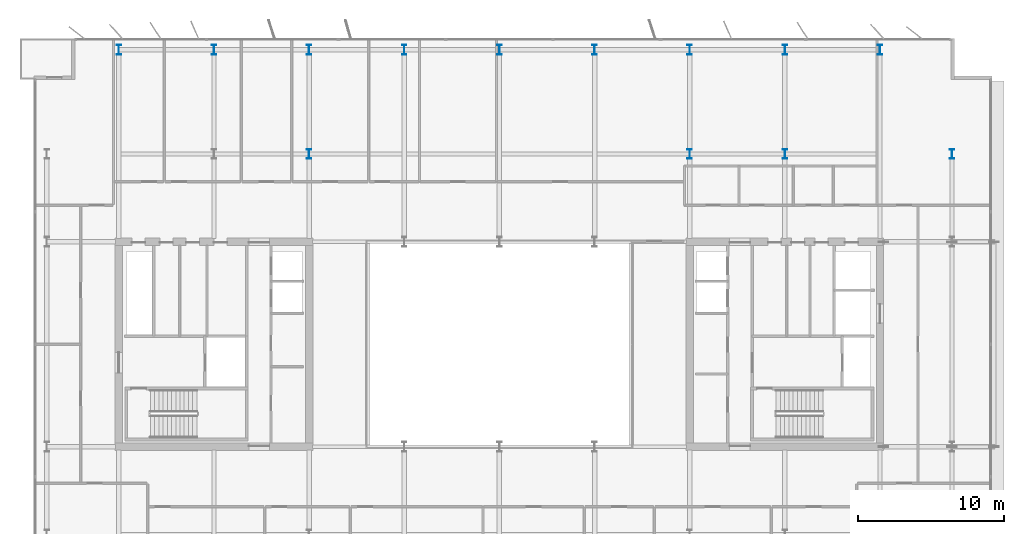
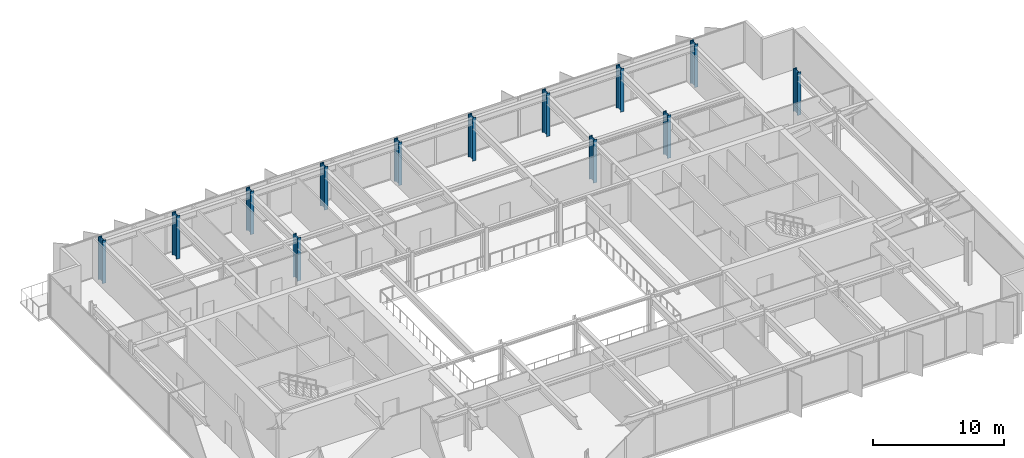
# One storey, part 3 of 20: 13 columns.
"""IFC4 building model written with IfcOpenShell, lengths in metres."""

from ifc_helpers import new_model, si_unit, direction, frame, origin, origin_2d, place, context, subcontext, project, spatial, i_section, extrude, material, material_profile, profile_set, type_object, element, save


model = new_model("IFC4")

# Units and contexts
model_context = context("Model", 3, precision=1e-05, world=origin(), true_north=direction((0.0, 1.0)))
body_context = subcontext(model_context, "Body", "Model", "MODEL_VIEW")
ifc_project = project(units=[si_unit("LENGTHUNIT", "METRE"), si_unit("AREAUNIT", "SQUARE_METRE"), si_unit("VOLUMEUNIT", "CUBIC_METRE"), si_unit("PLANEANGLEUNIT", "RADIAN"), si_unit("MASSUNIT", "GRAM", prefix="KILO")], contexts=[model_context])

# Site, building, storey
site_placement = place(None, origin())
site = spatial("IfcSite", under=ifc_project, at=site_placement, CompositionType="ELEMENT")
building_placement = place(site_placement, origin())
building = spatial("IfcBuilding", under=site, at=building_placement, Name="Putna Gate Headquarters", CompositionType="ELEMENT")
storey_placement = place(building_placement, frame((0.0, 0.0, 282.39990234375)))
storey = spatial("IfcBuildingStorey", under=building, at=storey_placement, Name="L71", CompositionType="ELEMENT", Elevation=282.39990234375)

# Columns
ifc_material = material(Name="Steel S460M", Category="steel")
ifc_material_profile_1 = material_profile(ifc_material, i_section(OverallWidth=0.304931640625, OverallDepth=0.66796875, WebThickness=0.02099609375, FlangeThickness=0.0400390625, at=origin_2d()), Name="Steel S460M")
ifc_profile_set_1 = profile_set([ifc_material_profile_1], Name="Steel S460M")
column_type_1 = type_object("IfcColumnType", Name="COL-STL-HEM650-EXT", PredefinedType="COLUMN", material=ifc_profile_set_1)
for number, where, z_axis, x_axis, name in (
    (1, (13.0, 46.1201171875, 0.0), (0.0, 0.0, 1.0), (1.0, 0.0, 0.0), "L71 Column CP-N13"),
    (2, (19.5, 46.1201171875, 0.0), (0.0, 0.0, 1.0), (1.0, 0.0, 0.0), "L71 Column CP-N19"),
    (3, (26.0, 46.1201171875, 0.0), (0.0, 0.0, 1.0), (1.0, 0.0, 0.0), "L71 Column CP-N26"),
    (4, (32.5, 46.1201171875, 0.0), (0.0, 0.0, 1.0), (1.0, 0.0, 0.0), "L71 Column CP-N32"),
    (5, (39.0, 46.1201171875, 0.0), (0.0, 0.0, 1.0), (1.0, 0.0, 0.0), "L71 Column CP-N39"),
    (6, (45.5, 46.1201171875, 0.0), (0.0, 0.0, 1.0), (1.0, 0.0, 0.0), "L71 Column CP-N45"),
    (7, (52.0, 46.1201171875, 0.0), (0.0, 0.0, 1.0), (1.0, 0.0, 0.0), "L71 Column CP-N52"),
    (8, (58.5, 46.1201171875, 0.0), (0.0, 0.0, 1.0), (1.0, 0.0, 0.0), "L71 Column CP-N58"),
    (9, (65.0, 46.1201171875, 0.0), (0.0, 0.0, 1.0), (1.0, 0.0, 0.0), "L71 Column CP-N65"),
    (10, (69.919921875, 39.0, 0.0), (0.0, 0.0, 1.0), (1.0, 0.0, 0.0), "L71 Column CP-E39"),
):
    element("IfcColumn", number, at=place(storey_placement, frame(where, z_axis=z_axis, x_axis=x_axis)), inside=storey, type_object=column_type_1, Name=name, PredefinedType="COLUMN", context=body_context, shape_type="SweptSolid", body=[
        extrude(i_section(OverallWidth=0.304931640625, OverallDepth=0.66796875, WebThickness=0.02099609375, FlangeThickness=0.0400390625, at=origin_2d()), origin(), (0.0, 0.0, 1.0), 4.0),
    ])
ifc_material_profile_2 = material_profile(ifc_material, i_section(OverallWidth=0.304931640625, OverallDepth=0.66796875, WebThickness=0.02099609375, FlangeThickness=0.0400390625, at=origin_2d()), Name="Steel S460M")
ifc_profile_set_2 = profile_set([ifc_material_profile_2], Name="Steel S460M")
column_type_2 = type_object("IfcColumnType", Name="COL-STL-HEM650-INT", PredefinedType="COLUMN", material=ifc_profile_set_2)
for number, where, z_axis, x_axis, name in (
    (11, (58.5, 39.0, 0.0), (0.0, 0.0, 1.0), (1.0, 0.0, 0.0), "L71 Column CSI-EN"),
    (12, (26.0, 39.0, 0.0), (0.0, 0.0, 1.0), (1.0, 0.0, 0.0), "L71 Column CAP-WN"),
    (13, (52.0, 39.0, 0.0), (0.0, 0.0, 1.0), (1.0, 0.0, 0.0), "L71 Column CAP-EN"),
):
    element("IfcColumn", number, at=place(storey_placement, frame(where, z_axis=z_axis, x_axis=x_axis)), inside=storey, type_object=column_type_2, Name=name, PredefinedType="COLUMN", context=body_context, shape_type="SweptSolid", body=[
        extrude(i_section(OverallWidth=0.304931640625, OverallDepth=0.66796875, WebThickness=0.02099609375, FlangeThickness=0.0400390625, at=origin_2d()), origin(), (0.0, 0.0, 1.0), 4.0),
    ])

save(model, "model.ifc")
